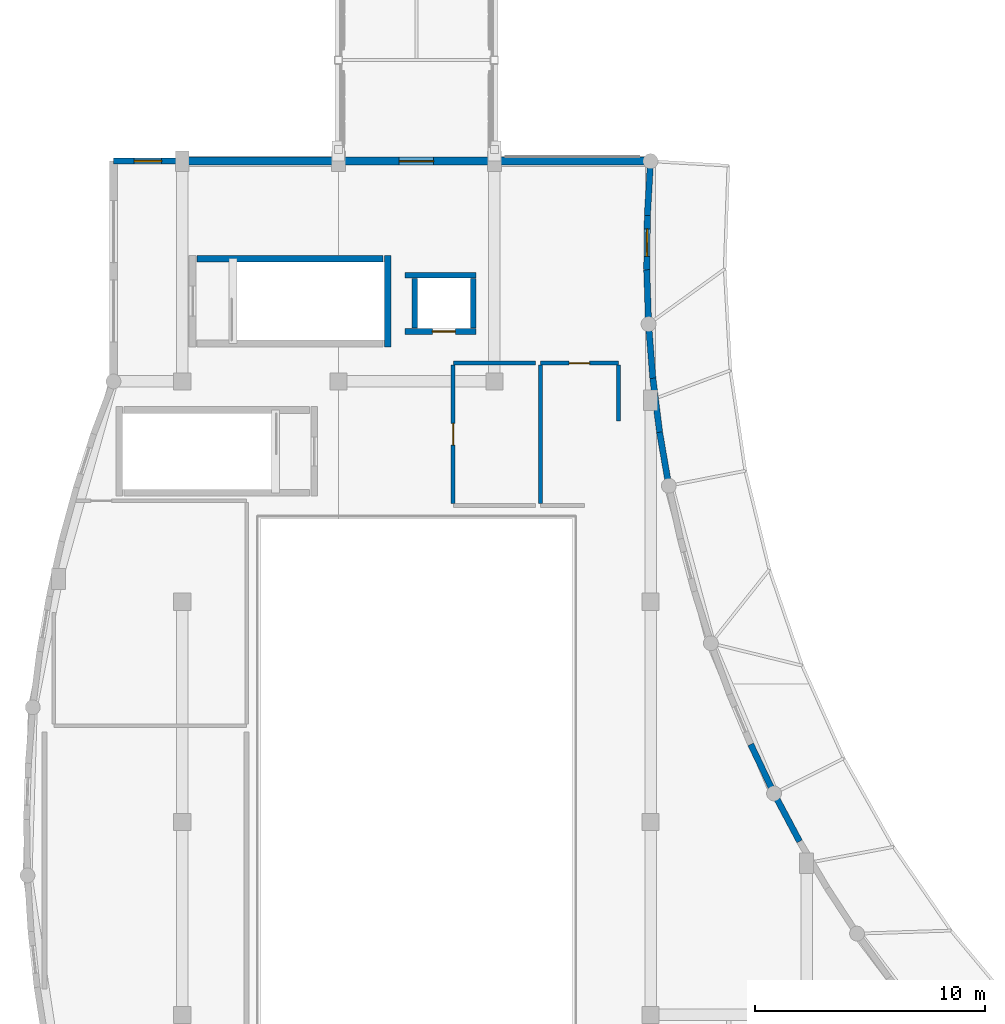
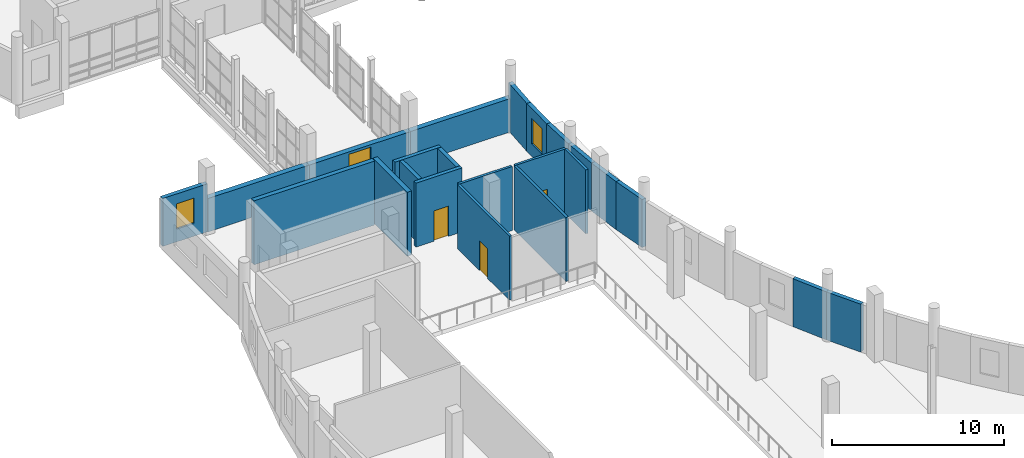
# One storey, part 83 of 106: 23 walls, 4 doors, 2 windows, 6 openings.
"""IFC4 building model written with IfcOpenShell, lengths in metres."""

from ifc_helpers import new_model, si_unit, direction, frame, frame_2d, origin, place, context, subcontext, project, spatial, rectangle, extrude, material, layer, layer_set, type_object, element, fill, save


model = new_model("IFC4")

# Units and contexts
model_context = context("Model", 3, precision=1e-05, world=origin(), true_north=direction((0.0, 1.0)))
body_context = subcontext(model_context, "Body", "Model", "MODEL_VIEW")
ifc_project = project(units=[si_unit("LENGTHUNIT", "METRE"), si_unit("AREAUNIT", "SQUARE_METRE"), si_unit("VOLUMEUNIT", "CUBIC_METRE"), si_unit("PLANEANGLEUNIT", "RADIAN"), si_unit("MASSUNIT", "GRAM", prefix="KILO")], contexts=[model_context])

# Site, building, storey
site_placement = place(None, origin())
site = spatial("IfcSite", under=ifc_project, at=site_placement, CompositionType="ELEMENT")
building_placement = place(site_placement, origin())
building = spatial("IfcBuilding", under=site, at=building_placement, Name="Kisaragi Civic Commons", CompositionType="ELEMENT")
storey_placement = place(building_placement, frame((0.0, 0.0, 4.800048828125)))
storey = spatial("IfcBuildingStorey", under=building, at=storey_placement, Name="L01", CompositionType="ELEMENT", Elevation=4.800048828125)

# Wall
ifc_material_1 = material(Name="Insulated Tokoname terracotta cavity wall", Category="masonry")
ifc_layer_1 = layer(ifc_material_1, 0.35009765625, Name="Insulated Tokoname terracotta cavity wall", Category="masonry")
ifc_layer_set_1 = layer_set([ifc_layer_1], Name="Insulated Tokoname terracotta cavity wall")
wall_type_1 = type_object("IfcWallType", Name="EW-02", PredefinedType="STANDARD", material=ifc_layer_set_1)
wall_1_placement = place(storey_placement, frame((6.800048828125, 62.39990234375, 0.0), z_axis=(0.0, 0.0, 1.0), x_axis=(1.0, 0.0, 0.0)))
element("IfcWall", 1, at=wall_1_placement, inside=storey, type_object=wall_type_1, Name="V1 L01 exterior terracotta wall EW-02 124", PredefinedType="STANDARD", context=body_context, shape_type="SweptSolid", body=[
    extrude(rectangle(XDim=6.800048828125, YDim=0.35009765625, at=frame_2d((3.39990234375, 0.0))), origin(), (0.0, 0.0, 1.0), 2.369873046875),
])

# Wall, opening, door
wall_2_placement = place(storey_placement, frame((13.60009765625, 62.39990234375, 0.0), z_axis=(0.0, 0.0, 1.0), x_axis=(1.0, 0.0, 0.0)))
wall_2 = element("IfcWall", 2, at=wall_2_placement, inside=storey, type_object=wall_type_1, Name="V1 L01 exterior terracotta wall EW-02 125", PredefinedType="STANDARD", context=body_context, shape_type="SweptSolid", body=[
    extrude(rectangle(XDim=6.7998046875, YDim=0.35009765625, at=frame_2d((3.39990234375, 0.0))), origin(), (0.0, 0.0, 1.0), 2.369873046875),
])
opening_1_placement = place(wall_2_placement, frame((2.64990234375, 0.0, 0.0)))
opening_1 = element("IfcOpeningElement", 3, at=opening_1_placement, cuts=wall_2, Name="Opening TD-02", PredefinedType="OPENING", context=body_context, shape_type="SweptSolid", body=[
    extrude(rectangle(XDim=1.5, YDim=2.199951171875, at=frame_2d((0.75, 1.10009765625))), frame((0.0, 0.18505859375, 0.0), z_axis=(0.0, -1.0, 0.0), x_axis=(1.0, 0.0, 0.0)), (0.0, 0.0, 1.0), 0.3701171875),
])
ifc_material_2 = material(Name="Thermally broken anodized aluminium glazed exit door", Category="aluminium")
door_type_1 = type_object("IfcDoorType", Name="TD-02", OperationType="NOTDEFINED", PredefinedType="DOOR", material=ifc_material_2)
door_1_placement = place(opening_1_placement, origin())
door_1 = element("IfcDoor", 4, at=door_1_placement, inside=storey, type_object=door_type_1, Name="V1 L01 terrace access door 01", OperationType="DOUBLE_DOOR_SINGLE_SWING", OverallHeight=2.199951171875, OverallWidth=1.5, PredefinedType="DOOR", context=body_context, shape_type="SweptSolid", body=[
    extrude(rectangle(XDim=1.5, YDim=2.199951171875, at=frame_2d((0.75, 1.10009765625))), frame((0.0, 0.02490234375, 0.0), z_axis=(0.0, -1.0, 0.0), x_axis=(1.0, 0.0, 0.0)), (0.0, 0.0, 1.0), 0.050048828125),
])
fill(opening_1, door_1)

# Walls
wall_3_placement = place(storey_placement, frame((20.39990234375, 62.39990234375, 0.0), z_axis=(0.0, 0.0, 1.0), x_axis=(1.0, 0.0, 0.0)))
element("IfcWall", 5, at=wall_3_placement, inside=storey, type_object=wall_type_1, Name="V1 L01 exterior terracotta wall EW-02 126", PredefinedType="STANDARD", context=body_context, shape_type="SweptSolid", body=[
    extrude(rectangle(XDim=6.800048828125, YDim=0.35009765625, at=frame_2d((3.39990234375, 0.0))), origin(), (0.0, 0.0, 1.0), 2.369873046875),
])
ifc_layer_2 = layer(ifc_material_1, 0.26806640625, Name="Insulated Tokoname terracotta cavity wall", Category="masonry")
ifc_layer_set_2 = layer_set([ifc_layer_2], Name="Insulated Tokoname terracotta cavity wall")
wall_type_2 = type_object("IfcWallType", Name="EW-04", PredefinedType="STANDARD", material=ifc_layer_set_2)
wall_4_placement = place(storey_placement, frame((27.199951171875, 62.39990234375, 0.0), z_axis=(0.0, 0.0, 1.0), x_axis=(-0.057525400251, -0.998344043066, 0.0)))
element("IfcWall", 6, at=wall_4_placement, inside=storey, type_object=wall_type_2, Name="V1 L01 exterior terracotta wall EW-04 65", PredefinedType="STANDARD", context=body_context, shape_type="SweptSolid", body=[
    extrude(rectangle(XDim=2.3681640625, YDim=0.26806640625, at=frame_2d((1.18408203125, 0.0))), origin(), (0.0, 0.0, 1.0), 3.405029296875),
])

# Wall, opening, window
wall_5_placement = place(storey_placement, frame((27.063720703125, 60.03564453125, 0.0), z_axis=(0.0, 0.0, 1.0), x_axis=(-0.012060978336, -0.999927263756, 0.0)))
wall_5 = element("IfcWall", 7, at=wall_5_placement, inside=storey, type_object=wall_type_2, Name="V1 L01 exterior terracotta wall EW-04 66", PredefinedType="STANDARD", context=body_context, shape_type="SweptSolid", body=[
    extrude(rectangle(XDim=2.368408203125, YDim=0.26806640625, at=frame_2d((1.18408203125, 0.0))), origin(), (0.0, 0.0, 1.0), 3.405029296875),
])
opening_2_placement = place(wall_5_placement, frame((0.584228515625, 0.0, 0.89990234375)))
opening_2 = element("IfcOpeningElement", 8, at=opening_2_placement, cuts=wall_5, Name="Opening W-05", PredefinedType="OPENING", context=body_context, shape_type="SweptSolid", body=[
    extrude(rectangle(XDim=1.199951171875, YDim=1.800048828125, at=frame_2d((0.60009765625, 0.89990234375))), frame((0.0, 0.14404296875, 0.0), z_axis=(0.0, -1.0, 0.0), x_axis=(1.0, 0.0, 0.0)), (0.0, 0.0, 1.0), 0.2880859375),
])
ifc_material_3 = material(Name="Thermally broken aluminium frame and low-E argon double glazing", Category="aluminium")
window_type = type_object("IfcWindowType", Name="W-05", PartitioningType="SINGLE_PANEL", PredefinedType="WINDOW", material=ifc_material_3)
window_1_placement = place(opening_2_placement, origin())
window_1 = element("IfcWindow", 9, at=window_1_placement, inside=storey, type_object=window_type, Name="V1 L01 window W-05 19", OverallHeight=1.800048828125, OverallWidth=1.199951171875, PartitioningType="SINGLE_PANEL", PredefinedType="WINDOW", context=body_context, shape_type="SweptSolid", body=[
    extrude(rectangle(XDim=1.199951171875, YDim=1.800048828125, at=frame_2d((0.60009765625, 0.89990234375))), frame((0.0, 0.030029296875, 0.0), z_axis=(0.0, -1.0, 0.0), x_axis=(1.0, 0.0, 0.0)), (0.0, 0.0, 1.0), 0.06005859375),
])
fill(opening_2, window_1)

# Walls
wall_6_placement = place(storey_placement, frame((27.03515625, 57.66748046875, 0.0), z_axis=(0.0, 0.0, 1.0), x_axis=(0.033500163099, -0.999438712014, 0.0)))
element("IfcWall", 10, at=wall_6_placement, inside=storey, type_object=wall_type_2, Name="V1 L01 exterior terracotta wall EW-04 67", PredefinedType="STANDARD", context=body_context, shape_type="SweptSolid", body=[
    extrude(rectangle(XDim=2.368408203125, YDim=0.26806640625, at=frame_2d((1.18408203125, 0.0))), origin(), (0.0, 0.0, 1.0), 3.405029296875),
])
wall_7_placement = place(storey_placement, frame((27.114501953125, 55.30029296875, 0.0), z_axis=(0.0, 0.0, 1.0), x_axis=(0.078966698752, -0.996877254474, 0.0)))
element("IfcWall", 11, at=wall_7_placement, inside=storey, type_object=wall_type_2, Name="V1 L01 exterior terracotta wall EW-04 68", PredefinedType="STANDARD", context=body_context, shape_type="SweptSolid", body=[
    extrude(rectangle(XDim=2.3681640625, YDim=0.26806640625, at=frame_2d((1.18408203125, 0.0))), origin(), (0.0, 0.0, 1.0), 3.405029296875),
])
wall_8_placement = place(storey_placement, frame((27.301513671875, 52.939453125, 0.0), z_axis=(0.0, 0.0, 1.0), x_axis=(0.124212348728, -0.992255658801, 0.0)))
element("IfcWall", 12, at=wall_8_placement, inside=storey, type_object=wall_type_2, Name="V1 L01 exterior terracotta wall EW-04 69", PredefinedType="STANDARD", context=body_context, shape_type="SweptSolid", body=[
    extrude(rectangle(XDim=2.368408203125, YDim=0.26806640625, at=frame_2d((1.18408203125, 0.0))), origin(), (0.0, 0.0, 1.0), 3.405029296875),
])
wall_9_placement = place(storey_placement, frame((27.595703125, 50.58935546875, 0.0), z_axis=(0.0, 0.0, 1.0), x_axis=(0.169378698951, -0.985551041977, 0.0)))
element("IfcWall", 13, at=wall_9_placement, inside=storey, type_object=wall_type_2, Name="V1 L01 exterior terracotta wall EW-04 70", PredefinedType="STANDARD", context=body_context, shape_type="SweptSolid", body=[
    extrude(rectangle(XDim=2.3681640625, YDim=0.26806640625, at=frame_2d((1.18408203125, 0.0))), origin(), (0.0, 0.0, 1.0), 3.405029296875),
])
wall_10_placement = place(storey_placement, frame((31.565673828125, 36.989990234375, 0.0), z_axis=(0.0, 0.0, 1.0), x_axis=(0.429021069844, -0.903294482231, 0.0)))
element("IfcWall", 14, at=wall_10_placement, inside=storey, type_object=wall_type_2, Name="V1 L01 exterior terracotta wall EW-04 76", PredefinedType="STANDARD", context=body_context, shape_type="SweptSolid", body=[
    extrude(rectangle(XDim=2.368408203125, YDim=0.26806640625, at=frame_2d((1.18408203125, 0.0))), origin(), (0.0, 0.0, 1.0), 3.405029296875),
])
wall_11_placement = place(storey_placement, frame((32.581787109375, 34.8505859375, 0.0), z_axis=(0.0, 0.0, 1.0), x_axis=(0.469667680595, -0.882843287229, 0.0)))
element("IfcWall", 15, at=wall_11_placement, inside=storey, type_object=wall_type_2, Name="V1 L01 exterior terracotta wall EW-04 77", PredefinedType="STANDARD", context=body_context, shape_type="SweptSolid", body=[
    extrude(rectangle(XDim=2.3681640625, YDim=0.26806640625, at=frame_2d((1.18408203125, 0.0))), origin(), (0.0, 0.0, 1.0), 3.405029296875),
])

# Wall, opening, window
wall_12_placement = place(storey_placement, frame((3.800048828125, 62.39990234375, 0.0), z_axis=(0.0, 0.0, 1.0), x_axis=(1.0, 0.0, 0.0)))
wall_12 = element("IfcWall", 16, at=wall_12_placement, inside=storey, type_object=wall_type_2, Name="V1 L01 exterior terracotta wall EW-04 123", PredefinedType="STANDARD", context=body_context, shape_type="SweptSolid", body=[
    extrude(rectangle(XDim=3.0, YDim=0.26806640625, at=frame_2d((1.5, 0.0))), origin(), (0.0, 0.0, 1.0), 3.405029296875),
])
opening_3_placement = place(wall_12_placement, frame((0.89990234375, 0.0, 0.89990234375)))
opening_3 = element("IfcOpeningElement", 17, at=opening_3_placement, cuts=wall_12, Name="Opening W-05", PredefinedType="OPENING", context=body_context, shape_type="SweptSolid", body=[
    extrude(rectangle(XDim=1.199951171875, YDim=1.800048828125, at=frame_2d((0.60009765625, 0.89990234375))), frame((0.0, 0.14404296875, 0.0), z_axis=(0.0, -1.0, 0.0), x_axis=(1.0, 0.0, 0.0)), (0.0, 0.0, 1.0), 0.2880859375),
])
window_2_placement = place(opening_3_placement, origin())
window_2 = element("IfcWindow", 18, at=window_2_placement, inside=storey, type_object=window_type, Name="V1 L01 window W-05 38", OverallHeight=1.800048828125, OverallWidth=1.199951171875, PartitioningType="SINGLE_PANEL", PredefinedType="WINDOW", context=body_context, shape_type="SweptSolid", body=[
    extrude(rectangle(XDim=1.199951171875, YDim=1.800048828125, at=frame_2d((0.60009765625, 0.89990234375))), frame((0.0, 0.030029296875, 0.0), z_axis=(0.0, -1.0, 0.0), x_axis=(1.0, 0.0, 0.0)), (0.0, 0.0, 1.0), 0.06005859375),
])
fill(opening_3, window_2)

# Walls
ifc_material_4 = material(Name="Cementitious tile-backer board on galvanized steel studs", Category="steel")
ifc_layer_3 = layer(ifc_material_4, 0.16796875, Name="Cementitious tile-backer board on galvanized steel studs", Category="steel")
ifc_layer_set_3 = layer_set([ifc_layer_3], Name="Cementitious tile-backer board on galvanized steel studs")
wall_type_3 = type_object("IfcWallType", Name="IW-03", PredefinedType="STANDARD", material=ifc_layer_set_3)
wall_13_placement = place(storey_placement, frame((25.800048828125, 53.52490234375, 0.0), z_axis=(0.0, 0.0, 1.0), x_axis=(0.0, -1.0, 0.0)))
element("IfcWall", 19, at=wall_13_placement, inside=storey, type_object=wall_type_3, Name="L01 M1-07 partition IW-03 218", PredefinedType="STANDARD", context=body_context, shape_type="SweptSolid", body=[
    extrude(rectangle(XDim=2.44189453125, YDim=0.16796875, at=frame_2d((1.220947265625, 0.0))), origin(), (0.0, 0.0, 1.0), 4.5400390625),
])
wall_14_placement = place(storey_placement, frame((22.39990234375, 47.47509765625, 0.0), z_axis=(0.0, 0.0, 1.0), x_axis=(0.0, 1.0, 0.0)))
element("IfcWall", 20, at=wall_14_placement, inside=storey, type_object=wall_type_3, Name="L01 M1-07 partition IW-03 220", PredefinedType="STANDARD", context=body_context, shape_type="SweptSolid", body=[
    extrude(rectangle(XDim=6.0498046875, YDim=0.16796875, at=frame_2d((3.02490234375, 0.0))), origin(), (0.0, 0.0, 1.0), 4.5400390625),
])

# Wall, opening, door
wall_15_placement = place(storey_placement, frame((22.405029296875, 53.60009765625, 0.0), z_axis=(0.0, 0.0, 1.0), x_axis=(1.0, 0.0, 0.0)))
wall_15 = element("IfcWall", 21, at=wall_15_placement, inside=storey, type_object=wall_type_3, Name="L01 M1-07 partition IW-03 221", PredefinedType="STANDARD", context=body_context, shape_type="SweptSolid", body=[
    extrude(rectangle(XDim=3.389892578125, YDim=0.16796875, at=frame_2d((1.69482421875, 0.0))), origin(), (0.0, 0.0, 1.0), 4.5400390625),
])
opening_4_placement = place(wall_15_placement, frame((1.2451171875, 0.0, 0.0)))
opening_4 = element("IfcOpeningElement", 22, at=opening_4_placement, cuts=wall_15, Name="Opening ID-02", PredefinedType="OPENING", context=body_context, shape_type="SweptSolid", body=[
    extrude(rectangle(XDim=0.89990234375, YDim=2.10009765625, at=frame_2d((0.449951171875, 1.050048828125))), frame((0.0, 0.093994140625, 0.0), z_axis=(0.0, -1.0, 0.0), x_axis=(1.0, 0.0, 0.0)), (0.0, 0.0, 1.0), 0.18798828125),
])
ifc_material_5 = material(Name="Solid-core Japanese ash acoustic flush timber leaf in steel frame", Category="steel")
door_type_2 = type_object("IfcDoorType", Name="ID-02", OperationType="NOTDEFINED", PredefinedType="DOOR", material=ifc_material_5)
door_2_placement = place(opening_4_placement, origin())
door_2 = element("IfcDoor", 23, at=door_2_placement, inside=storey, type_object=door_type_2, Name="Gallery Female WC door ID-02", OperationType="SINGLE_SWING_RIGHT", OverallHeight=2.10009765625, OverallWidth=0.89990234375, PredefinedType="DOOR", context=body_context, shape_type="SweptSolid", body=[
    extrude(rectangle(XDim=0.89990234375, YDim=2.10009765625, at=frame_2d((0.449951171875, 1.050048828125))), frame((0.0, 0.02490234375, 0.0), z_axis=(0.0, -1.0, 0.0), x_axis=(1.0, 0.0, 0.0)), (0.0, 0.0, 1.0), 0.050048828125),
])
fill(opening_4, door_2)

wall_16_placement = place(storey_placement, frame((18.60009765625, 47.47509765625, 0.0), z_axis=(0.0, 0.0, 1.0), x_axis=(0.0, 1.0, 0.0)))
wall_16 = element("IfcWall", 24, at=wall_16_placement, inside=storey, type_object=wall_type_3, Name="L01 M1-08 partition IW-03 223", PredefinedType="STANDARD", context=body_context, shape_type="SweptSolid", body=[
    extrude(rectangle(XDim=6.0498046875, YDim=0.16796875, at=frame_2d((3.02490234375, 0.0))), origin(), (0.0, 0.0, 1.0), 4.5400390625),
])
opening_5_placement = place(wall_16_placement, frame((2.550048828125, 0.0, 0.0)))
opening_5 = element("IfcOpeningElement", 25, at=opening_5_placement, cuts=wall_16, Name="Opening ID-01", PredefinedType="OPENING", context=body_context, shape_type="SweptSolid", body=[
    extrude(rectangle(XDim=0.949951171875, YDim=2.10009765625, at=frame_2d((0.47509765625, 1.050048828125))), frame((0.0, 0.093994140625, 0.0), z_axis=(0.0, -1.0, 0.0), x_axis=(1.0, 0.0, 0.0)), (0.0, 0.0, 1.0), 0.18798828125),
])
door_type_3 = type_object("IfcDoorType", Name="ID-01", OperationType="NOTDEFINED", PredefinedType="DOOR", material=ifc_material_5)
door_3_placement = place(opening_5_placement, origin())
door_3 = element("IfcDoor", 26, at=door_3_placement, inside=storey, type_object=door_type_3, Name="Gallery Accessible WC door ID-01", OperationType="SINGLE_SWING_LEFT", OverallHeight=2.10009765625, OverallWidth=0.949951171875, PredefinedType="DOOR", context=body_context, shape_type="SweptSolid", body=[
    extrude(rectangle(XDim=0.949951171875, YDim=2.10009765625, at=frame_2d((0.47509765625, 1.050048828125))), frame((0.0, 0.02490234375, 0.0), z_axis=(0.0, -1.0, 0.0), x_axis=(1.0, 0.0, 0.0)), (0.0, 0.0, 1.0), 0.050048828125),
])
fill(opening_5, door_3)

# Walls
wall_17_placement = place(storey_placement, frame((18.60498046875, 53.60009765625, 0.0), z_axis=(0.0, 0.0, 1.0), x_axis=(1.0, 0.0, 0.0)))
element("IfcWall", 27, at=wall_17_placement, inside=storey, type_object=wall_type_3, Name="L01 M1-08 partition IW-03 224", PredefinedType="STANDARD", context=body_context, shape_type="SweptSolid", body=[
    extrude(rectangle(XDim=3.590087890625, YDim=0.16796875, at=frame_2d((1.794921875, 0.0))), origin(), (0.0, 0.0, 1.0), 4.5400390625),
])
ifc_material_6 = material(Name="Concrete Fc36", Category="concrete")
ifc_layer_4 = layer(ifc_material_6, 0.300048828125, Name="Concrete Fc36", Category="concrete")
ifc_layer_set_4 = layer_set([ifc_layer_4], Name="Concrete Fc36")
wall_type_4 = type_object("IfcWallType", Name="SW-01", PredefinedType="SHEAR", material=ifc_layer_set_4)
wall_18_placement = place(storey_placement, frame((15.75, 54.300048828125, 0.0), z_axis=(0.0, 0.0, 1.0), x_axis=(0.0, 1.0, 0.0)))
element("IfcWall", 28, at=wall_18_placement, inside=storey, type_object=wall_type_4, Name="ST-M1 L01 far RC shear wall", PredefinedType="SHEAR", context=body_context, shape_type="SweptSolid", body=[
    extrude(rectangle(XDim=4.0, YDim=0.300048828125, at=frame_2d((2.0, 0.0))), origin(), (0.0, 0.0, 1.0), 4.5400390625),
])
wall_19_placement = place(storey_placement, frame((15.550048828125, 58.14990234375, 0.0), z_axis=(0.0, 0.0, 1.0), x_axis=(-1.0, 0.0, 0.0)))
element("IfcWall", 29, at=wall_19_placement, inside=storey, type_object=wall_type_4, Name="ST-M1 L01 left RC shear wall", PredefinedType="SHEAR", context=body_context, shape_type="SweptSolid", body=[
    extrude(rectangle(XDim=8.10009765625, YDim=0.300048828125, at=frame_2d((4.050048828125, 0.0))), origin(), (0.0, 0.0, 1.0), 4.5400390625),
])

# Wall, opening, door
ifc_layer_5 = layer(ifc_material_6, 0.25, Name="Concrete Fc36", Category="concrete")
ifc_layer_set_5 = layer_set([ifc_layer_5], Name="Concrete Fc36")
wall_type_5 = type_object("IfcWallType", Name="SW-02", PredefinedType="SHEAR", material=ifc_layer_set_5)
wall_20_placement = place(storey_placement, frame((19.60009765625, 54.97509765625, 0.0), z_axis=(0.0, 0.0, 1.0), x_axis=(-1.0, 0.0, 0.0)))
wall_20 = element("IfcWall", 30, at=wall_20_placement, inside=storey, type_object=wall_type_5, Name="EL-M1 L01 south lift shaft wall", PredefinedType="SHEAR", context=body_context, shape_type="SweptSolid", body=[
    extrude(rectangle(XDim=3.10009765625, YDim=0.25, at=frame_2d((1.550048828125, 0.0))), origin(), (0.0, 0.0, 1.0), 4.5400390625),
])
opening_6_placement = place(wall_20_placement, frame((0.89990234375, 0.0, 0.0)))
opening_6 = element("IfcOpeningElement", 31, at=opening_6_placement, cuts=wall_20, Name="Opening LD-02", PredefinedType="OPENING", context=body_context, shape_type="SweptSolid", body=[
    extrude(rectangle(XDim=1.0, YDim=2.14990234375, at=frame_2d((0.5, 1.074951171875))), frame((0.0, 0.135009765625, 0.0), z_axis=(0.0, -1.0, 0.0), x_axis=(1.0, 0.0, 0.0)), (0.0, 0.0, 1.0), 0.27001953125),
])
ifc_material_7 = material(Name="Brushed stainless steel bi-parting landing door", Category="steel")
door_type_4 = type_object("IfcDoorType", Name="LD-02", OperationType="NOTDEFINED", PredefinedType="DOOR", material=ifc_material_7)
door_4_placement = place(opening_6_placement, origin())
door_4 = element("IfcDoor", 32, at=door_4_placement, inside=storey, type_object=door_type_4, Name="EL-M1 L01 sliding lift landing door", OperationType="DOUBLE_DOOR_SLIDING", OverallHeight=2.14990234375, OverallWidth=1.0, PredefinedType="DOOR", context=body_context, shape_type="SweptSolid", body=[
    extrude(rectangle(XDim=1.0, YDim=2.14990234375, at=frame_2d((0.5, 1.074951171875))), frame((0.0, 0.02490234375, 0.0), z_axis=(0.0, -1.0, 0.0), x_axis=(1.0, 0.0, 0.0)), (0.0, 0.0, 1.0), 0.050048828125),
])
fill(opening_6, door_4)

# Walls
wall_21_placement = place(storey_placement, frame((16.925048828125, 55.1201171875, 0.0), z_axis=(0.0, 0.0, 1.0), x_axis=(0.0, 1.0, 0.0)))
element("IfcWall", 33, at=wall_21_placement, inside=storey, type_object=wall_type_5, Name="EL-M1 L01 west lift shaft wall", PredefinedType="SHEAR", context=body_context, shape_type="SweptSolid", body=[
    extrude(rectangle(XDim=2.159912109375, YDim=0.25, at=frame_2d((1.080078125, 0.0))), origin(), (0.0, 0.0, 1.0), 4.5400390625),
])
wall_22_placement = place(storey_placement, frame((16.5, 57.425048828125, 0.0), z_axis=(0.0, 0.0, 1.0), x_axis=(1.0, 0.0, 0.0)))
element("IfcWall", 34, at=wall_22_placement, inside=storey, type_object=wall_type_5, Name="EL-M1 L01 north lift shaft wall", PredefinedType="SHEAR", context=body_context, shape_type="SweptSolid", body=[
    extrude(rectangle(XDim=3.10009765625, YDim=0.25, at=frame_2d((1.550048828125, 0.0))), origin(), (0.0, 0.0, 1.0), 4.5400390625),
])
wall_23_placement = place(storey_placement, frame((19.47509765625, 57.280029296875, 0.0), z_axis=(0.0, 0.0, 1.0), x_axis=(0.0, -1.0, 0.0)))
element("IfcWall", 35, at=wall_23_placement, inside=storey, type_object=wall_type_5, Name="EL-M1 L01 east lift shaft wall", PredefinedType="SHEAR", context=body_context, shape_type="SweptSolid", body=[
    extrude(rectangle(XDim=2.159912109375, YDim=0.25, at=frame_2d((1.080078125, 0.0))), origin(), (0.0, 0.0, 1.0), 4.5400390625),
])

save(model, "model.ifc")
